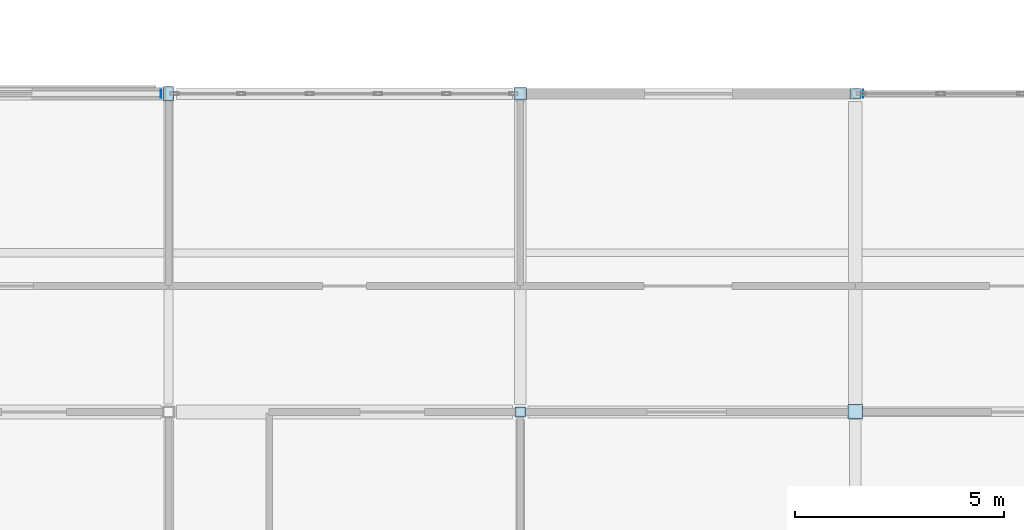
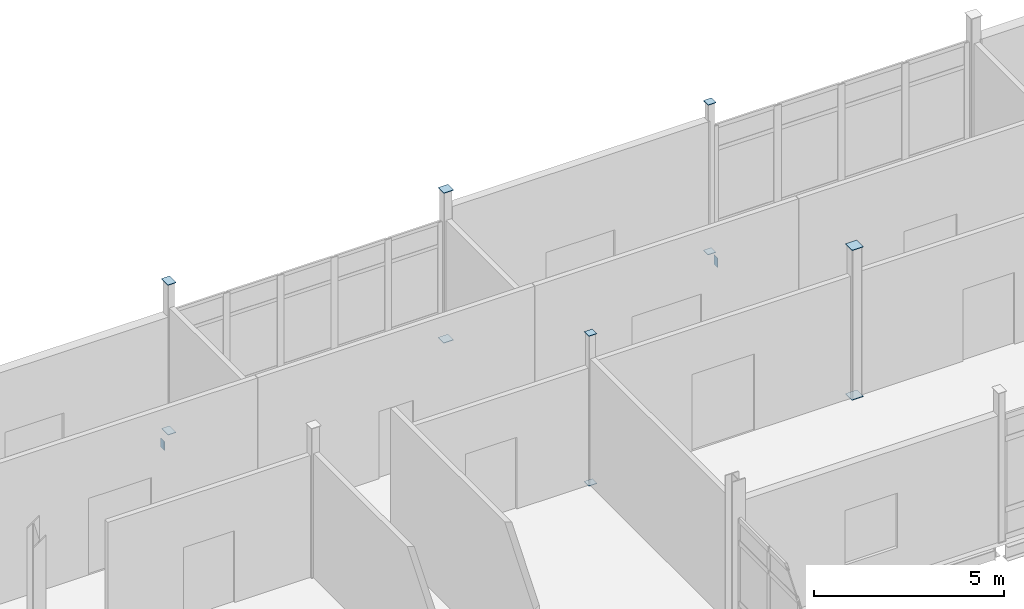
# One storey, part 144 of 186: 12 plates.
"""IFC4 building model written with IfcOpenShell, lengths in metres."""

from ifc_helpers import new_model, si_unit, direction, frame, origin, origin_2d, place, context, subcontext, project, spatial, rectangle, extrude, material, layer, layer_set, type_object, element, save


model = new_model("IFC4")

# Units and contexts
model_context = context("Model", 3, precision=1e-05, world=origin(), true_north=direction((0.0, 1.0)))
body_context = subcontext(model_context, "Body", "Model", "MODEL_VIEW")
ifc_project = project(units=[si_unit("LENGTHUNIT", "METRE"), si_unit("AREAUNIT", "SQUARE_METRE"), si_unit("VOLUMEUNIT", "CUBIC_METRE"), si_unit("PLANEANGLEUNIT", "RADIAN"), si_unit("MASSUNIT", "GRAM", prefix="KILO")], contexts=[model_context])

# Site, building, storey
site_placement = place(None, origin())
site = spatial("IfcSite", under=ifc_project, at=site_placement, CompositionType="ELEMENT")
building_placement = place(site_placement, origin())
building = spatial("IfcBuilding", under=site, at=building_placement, Name="Calvrana Isthmian Art Gallery", CompositionType="ELEMENT")
storey_placement = place(building_placement, frame((0.0, 0.0, 5.39990234375)))
storey = spatial("IfcBuildingStorey", under=building, at=storey_placement, Name="L01", CompositionType="ELEMENT", Elevation=5.39990234375)

# Plates
ifc_material = material(Name="Steel ASTM A572 Gr 50", Category="steel")
ifc_layer = layer(ifc_material, 0.01611328125, Name="Steel ASTM A572 Gr 50")
ifc_layer_set = layer_set([ifc_layer], Name="Steel ASTM A572 Gr 50")
plate_type = type_object("IfcPlateType", Name="PL-CAP-16", PredefinedType="SHEET", material=ifc_layer_set)
for number, where, z_axis, x_axis, name in (
    (1, (72.0, 62.0, -0.008056640625), (0.0, 0.0, 1.0), (1.0, 0.0, 0.0), "Hollow section end cap plate 173"),
    (2, (72.0, 62.0, 4.7919921875), (0.0, 0.0, 1.0), (1.0, 0.0, 0.0), "Hollow section end cap plate 174"),
):
    element("IfcPlate", number, at=place(storey_placement, frame(where, z_axis=z_axis, x_axis=x_axis)), inside=storey, type_object=plate_type, Name=name, PredefinedType="SHEET", context=body_context, shape_type="SweptSolid", body=[
        extrude(rectangle(XDim=0.2431640625, YDim=0.3447265625, at=origin_2d()), origin(), (0.0, 0.0, 1.0), 0.01611328125),
    ])
for number, where, z_axis, x_axis, name in (
    (3, (80.39990234375, 54.39990234375, -0.008056640625), (0.0, 0.0, 1.0), (1.0, 0.0, 0.0), "Hollow section end cap plate 195"),
    (4, (80.39990234375, 54.39990234375, 4.7919921875), (0.0, 0.0, 1.0), (1.0, 0.0, 0.0), "Hollow section end cap plate 196"),
):
    element("IfcPlate", number, at=place(storey_placement, frame(where, z_axis=z_axis, x_axis=x_axis)), inside=storey, type_object=plate_type, Name=name, PredefinedType="SHEET", context=body_context, shape_type="SweptSolid", body=[
        extrude(rectangle(XDim=0.2431640625, YDim=0.2431640625, at=origin_2d()), origin(), (0.0, 0.0, 1.0), 0.01611328125),
    ])
for number, where, z_axis, x_axis, name in (
    (5, (80.39990234375, 62.0, -0.008056640625), (0.0, 0.0, 1.0), (1.0, 0.0, 0.0), "Hollow section end cap plate 197"),
    (6, (80.39990234375, 62.0, 4.7919921875), (0.0, 0.0, 1.0), (1.0, 0.0, 0.0), "Hollow section end cap plate 198"),
):
    element("IfcPlate", number, at=place(storey_placement, frame(where, z_axis=z_axis, x_axis=x_axis)), inside=storey, type_object=plate_type, Name=name, PredefinedType="SHEET", context=body_context, shape_type="SweptSolid", body=[
        extrude(rectangle(XDim=0.2939453125, YDim=0.2939453125, at=origin_2d()), origin(), (0.0, 0.0, 1.0), 0.01611328125),
    ])
for number, where, z_axis, x_axis, name in (
    (7, (88.39990234375, 54.39990234375, -0.008056640625), (0.0, 0.0, 1.0), (1.0, 0.0, 0.0), "Hollow section end cap plate 207"),
    (8, (88.39990234375, 54.39990234375, 4.7919921875), (0.0, 0.0, 1.0), (1.0, 0.0, 0.0), "Hollow section end cap plate 208"),
):
    element("IfcPlate", number, at=place(storey_placement, frame(where, z_axis=z_axis, x_axis=x_axis)), inside=storey, type_object=plate_type, Name=name, PredefinedType="SHEET", context=body_context, shape_type="SweptSolid", body=[
        extrude(rectangle(XDim=0.3447265625, YDim=0.3447265625, at=origin_2d()), origin(), (0.0, 0.0, 1.0), 0.01611328125),
    ])
for number, where, z_axis, x_axis, name in (
    (9, (88.39990234375, 62.0, -0.008056640625), (0.0, 0.0, 1.0), (1.0, 0.0, 0.0), "Hollow section end cap plate 209"),
    (10, (88.39990234375, 62.0, 4.7919921875), (0.0, 0.0, 1.0), (1.0, 0.0, 0.0), "Hollow section end cap plate 210"),
):
    element("IfcPlate", number, at=place(storey_placement, frame(where, z_axis=z_axis, x_axis=x_axis)), inside=storey, type_object=plate_type, Name=name, PredefinedType="SHEET", context=body_context, shape_type="SweptSolid", body=[
        extrude(rectangle(XDim=0.2431640625, YDim=0.2431640625, at=origin_2d()), origin(), (0.0, 0.0, 1.0), 0.01611328125),
    ])
for number, where, z_axis, x_axis, name in (
    (11, (71.81591796875, 62.0, -0.518798828125), (0.0, 0.0, 1.0), (1.0, 0.0, 0.0), "Hollow section end cap plate 426"),
    (12, (88.58642578125, 62.0, -0.518798828125), (0.0, 0.0, 1.0), (1.0, 0.0, 0.0), "Hollow section end cap plate 427"),
):
    element("IfcPlate", number, at=place(storey_placement, frame(where, z_axis=z_axis, x_axis=x_axis)), inside=storey, type_object=plate_type, Name=name, PredefinedType="SHEET", context=body_context, shape_type="SweptSolid", body=[
        extrude(rectangle(XDim=0.01611328125, YDim=0.1923828125, at=origin_2d()), origin(), (0.0, 0.0, 1.0), 0.2939453125),
    ])

save(model, "model.ifc")
